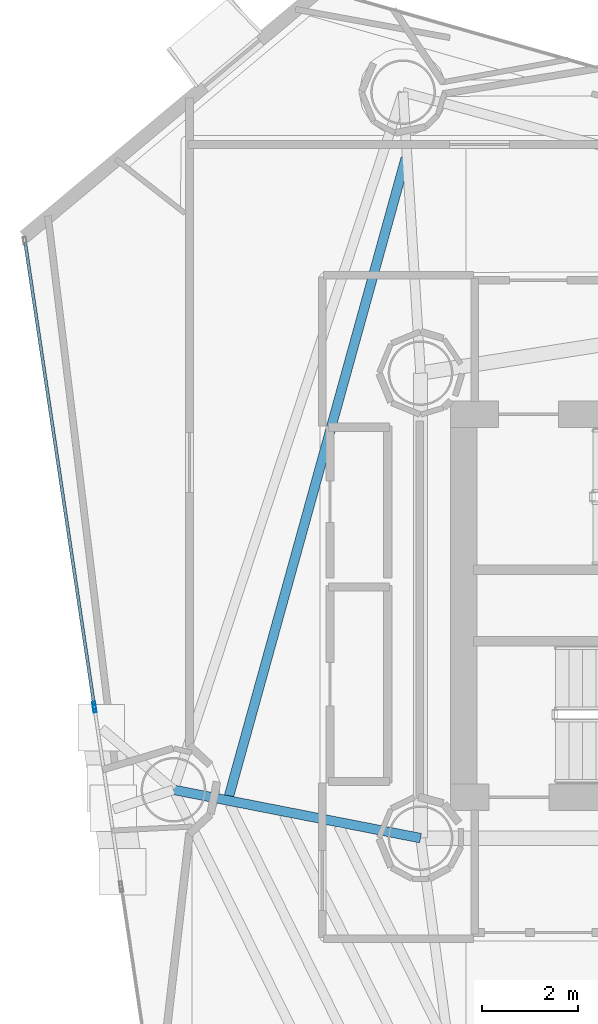
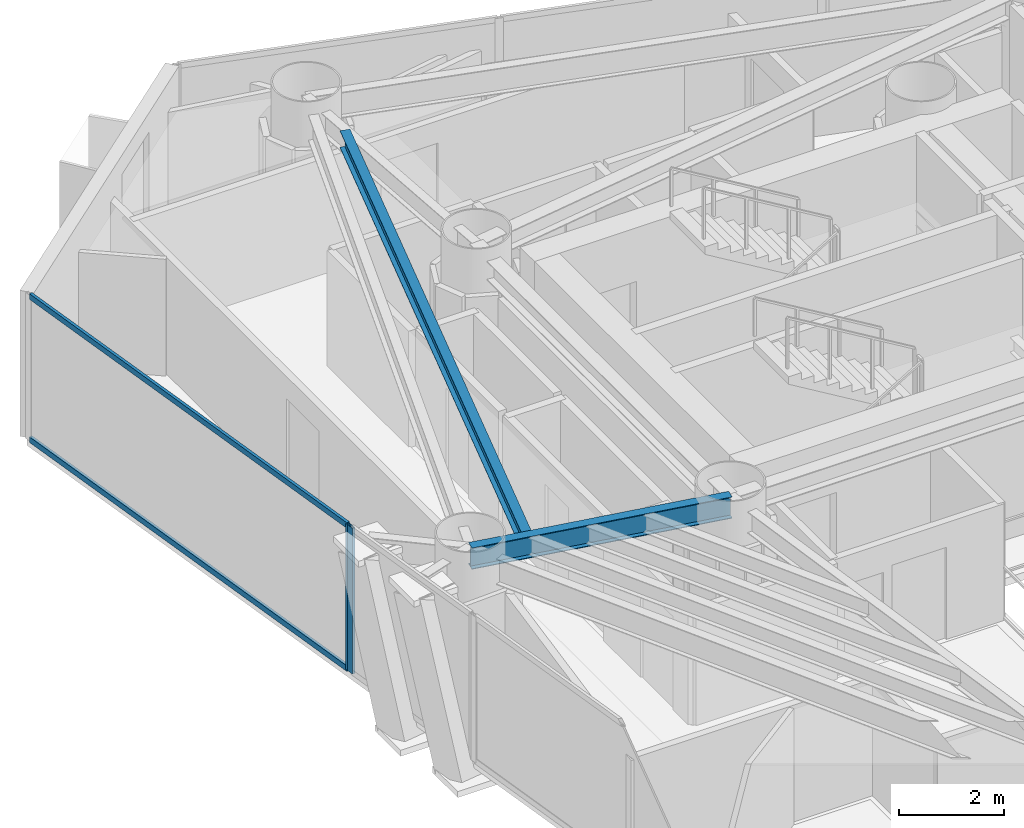
# One storey, part 9 of 22: 4 members, 2 beams, 2 elements without a shape of their own.
"""IFC4 building model written with IfcOpenShell, lengths in metres."""

from ifc_helpers import new_model, si_unit, direction, frame, origin, origin_2d, place, context, subcontext, project, spatial, hollow_rectangle, i_section, extrude, material, layer, layer_set, material_profile, profile_set, type_object, element, aggregate, save


model = new_model("IFC4")

# Units and contexts
model_context = context("Model", 3, precision=1e-05, world=origin(), true_north=direction((0.0, 1.0)))
body_context = subcontext(model_context, "Body", "Model", "MODEL_VIEW")
ifc_project = project(units=[si_unit("LENGTHUNIT", "METRE"), si_unit("AREAUNIT", "SQUARE_METRE"), si_unit("VOLUMEUNIT", "CUBIC_METRE"), si_unit("PLANEANGLEUNIT", "RADIAN"), si_unit("MASSUNIT", "GRAM", prefix="KILO")], contexts=[model_context])

# Site, building, storey
site_placement = place(None, origin())
site = spatial("IfcSite", under=ifc_project, at=site_placement, CompositionType="ELEMENT")
building_placement = place(site_placement, origin())
building = spatial("IfcBuilding", under=site, at=building_placement, Name="Qianvela Tower", CompositionType="ELEMENT")
storey_placement = place(building_placement, frame((0.0, 0.0, 180.89990234375)))
storey = spatial("IfcBuildingStorey", under=building, at=storey_placement, Name="L46", CompositionType="ELEMENT", Elevation=180.89990234375)

# Beams
ifc_material_1 = material(Name="Steel Q355B", Category="steel")
ifc_material_profile_1 = material_profile(ifc_material_1, i_section(OverallWidth=0.199951171875, OverallDepth=0.39990234375, WebThickness=0.008056640625, FlangeThickness=0.012939453125, at=origin_2d()), Name="HN400x200x8x13")
ifc_profile_set_1 = profile_set([ifc_material_profile_1], Name="Steel Q355B")
beam_type_1 = type_object("IfcBeamType", Name="BM-HN400-JOIST", PredefinedType="JOIST", material=ifc_profile_set_1)
beam_1_placement = place(storey_placement, frame((28.289794921875, 38.029052734375, 3.197998046875), z_axis=(-0.266971346744, -0.963704467157, 0.0), x_axis=(0.963704467157, -0.266971346744, 0.0)))
element("IfcBeam", 1, at=beam_1_placement, inside=storey, type_object=beam_type_1, Name="L46 Secondary Composite Floor Joist 3.3", PredefinedType="JOIST", context=body_context, shape_type="SweptSolid", body=[
    extrude(i_section(OverallWidth=0.199951171875, OverallDepth=0.39990234375, WebThickness=0.008056640625, FlangeThickness=0.012939453125, at=origin_2d()), origin(), (0.0, 0.0, 1.0), 13.800537109375),
])
ifc_material_2 = material(Name="Steel Q355B", Category="steel")
ifc_material_profile_2 = material_profile(ifc_material_2, i_section(OverallWidth=0.199951171875, OverallDepth=0.5, WebThickness=0.010009765625, FlangeThickness=0.01611328125, at=origin_2d()), Name="HN500x200x10x16")
ifc_profile_set_2 = profile_set([ifc_material_profile_2], Name="Steel Q355B")
beam_type_2 = type_object("IfcBeamType", Name="BM-HN500-GIRD", PredefinedType="BEAM", material=ifc_profile_set_2)
beam_2_placement = place(storey_placement, frame((28.60009765625, 23.85009765625, 3.148193359375), z_axis=(-0.98137875074, 0.192082658238, 0.0), x_axis=(-0.192082658238, -0.98137875074, 0.0)))
element("IfcBeam", 2, at=beam_2_placement, inside=storey, type_object=beam_type_2, Name="L46 Radial Primary Floor Girder 4", PredefinedType="BEAM", context=body_context, shape_type="SweptSolid", body=[
    extrude(i_section(OverallWidth=0.199951171875, OverallDepth=0.5, WebThickness=0.010009765625, FlangeThickness=0.01611328125, at=origin_2d()), origin(), (0.0, 0.0, 1.0), 5.251953125),
])

# Curtain wall, member
ifc_material_3 = material(Name="Anodised Architectural Aluminium and Insulated Spandrel Panel", Category="aluminium")
ifc_layer_1 = layer(ifc_material_3, 0.179931640625)
ifc_layer_set_1 = layer_set([ifc_layer_1], Name="Anodised Architectural Aluminium and Insulated Spandrel Panel")
curtain_wall_type_1 = type_object("IfcCurtainWallType", Name="CW-BRACEBAY", PredefinedType="USERDEFINED", material=ifc_layer_set_1)
curtain_wall_1_placement = place(storey_placement, origin())
curtain_wall_1 = element("IfcCurtainWall", 3, at=curtain_wall_1_placement, inside=storey, type_object=curtain_wall_type_1, Name="L46 CW-BRACEBAY Curtain Wall 04B", ObjectType="CURTAIN_WALL_SYSTEM", PredefinedType="USERDEFINED")
ifc_material_4 = material(Name="Anodised Architectural Aluminium 6063-T6", Category="aluminium")
ifc_material_profile_3 = material_profile(ifc_material_4, hollow_rectangle(XDim=0.06494140625, YDim=0.159912109375, WallThickness=0.0048828125, at=origin_2d()), Name="ALU-MULL-65x160")
ifc_profile_set_3 = profile_set([ifc_material_profile_3], Name="Anodised Architectural Aluminium 6063-T6")
member_type_1 = type_object("IfcMemberType", Name="CW-BRACEBAY-MULL", PredefinedType="MULLION", material=ifc_profile_set_3)
member_1_placement = place(storey_placement, frame((21.80224609375, 26.551025390625, 0.0), z_axis=(0.0, 0.0, 1.0), x_axis=(0.989067181234, 0.147465626524, 0.0)))
member_1 = element("IfcMember", 4, at=member_1_placement, type_object=member_type_1, Name="CW-9 mullion 1", PredefinedType="MULLION", context=body_context, shape_type="SweptSolid", body=[
    extrude(hollow_rectangle(XDim=0.06494140625, YDim=0.159912109375, WallThickness=0.0048828125, at=origin_2d()), origin(), (0.0, 0.0, 1.0), 3.400146484375),
])
aggregate(curtain_wall_1, [member_1])

# Curtain wall, members
ifc_material_5 = material(Name="Anodised Architectural Aluminium and Low-E Glass", Category="aluminium")
ifc_layer_2 = layer(ifc_material_5, 0.169921875)
ifc_layer_set_2 = layer_set([ifc_layer_2], Name="Anodised Architectural Aluminium and Low-E Glass")
curtain_wall_type_2 = type_object("IfcCurtainWallType", Name="CW-COLIV-Z34", PredefinedType="USERDEFINED", material=ifc_layer_set_2)
curtain_wall_2_placement = place(storey_placement, origin())
curtain_wall_2 = element("IfcCurtainWall", 5, at=curtain_wall_2_placement, inside=storey, type_object=curtain_wall_type_2, Name="L46 CW-COLIV-Z34 Curtain Wall 04A", ObjectType="CURTAIN_WALL_SYSTEM", PredefinedType="USERDEFINED")
ifc_material_6 = material(Name="Anodised Architectural Aluminium 6063-T6", Category="aluminium")
ifc_material_profile_4 = material_profile(ifc_material_6, hollow_rectangle(XDim=0.06494140625, YDim=0.159912109375, WallThickness=0.0048828125, at=origin_2d()), Name="ALU-MULL-65x160")
ifc_profile_set_4 = profile_set([ifc_material_profile_4], Name="Anodised Architectural Aluminium 6063-T6")
member_type_2 = type_object("IfcMemberType", Name="CW-COLIV-Z34-MULL", PredefinedType="MULLION", material=ifc_profile_set_4)
member_2_placement = place(storey_placement, frame((21.792724609375, 26.615234375, 0.0), z_axis=(0.0, 0.0, 1.0), x_axis=(0.98906824307, 0.147458504505, 0.0)))
member_2 = element("IfcMember", 6, at=member_2_placement, type_object=member_type_2, Name="CW-4 mullion 2", PredefinedType="MULLION", context=body_context, shape_type="SweptSolid", body=[
    extrude(hollow_rectangle(XDim=0.06494140625, YDim=0.159912109375, WallThickness=0.0048828125, at=origin_2d()), origin(), (0.0, 0.0, 1.0), 3.400146484375),
])
ifc_material_7 = material(Name="Anodised Architectural Aluminium 6063-T6", Category="aluminium")
ifc_material_profile_5 = material_profile(ifc_material_7, hollow_rectangle(XDim=0.06494140625, YDim=0.1298828125, WallThickness=0.00439453125, at=origin_2d()), Name="ALU-TRAN-65x130")
ifc_profile_set_5 = profile_set([ifc_material_profile_5], Name="Anodised Architectural Aluminium 6063-T6")
member_type_3 = type_object("IfcMemberType", Name="CW-COLIV-Z34-TRAN", PredefinedType="USERDEFINED", material=ifc_profile_set_5)
member_3_placement = place(storey_placement, frame((20.351806640625, 36.28076171875, 0.03271484375), z_axis=(0.147440696966, -0.989070897802, 0.0), x_axis=(0.989070897802, 0.147440696966, 0.0)))
member_3 = element("IfcMember", 7, at=member_3_placement, type_object=member_type_3, Name="CW-4 transom 1.1", ObjectType="TRANSOM", PredefinedType="USERDEFINED", context=body_context, shape_type="SweptSolid", body=[
    extrude(hollow_rectangle(XDim=0.06494140625, YDim=0.1298828125, WallThickness=0.00439453125, at=origin_2d()), origin(), (0.0, 0.0, 1.0), 9.73974609375),
])
member_4_placement = place(storey_placement, frame((20.351806640625, 36.28076171875, 3.36767578125), z_axis=(0.147440696966, -0.989070897802, 0.0), x_axis=(0.989070897802, 0.147440696966, 0.0)))
member_4 = element("IfcMember", 8, at=member_4_placement, type_object=member_type_3, Name="CW-4 transom 1.2", ObjectType="TRANSOM", PredefinedType="USERDEFINED", context=body_context, shape_type="SweptSolid", body=[
    extrude(hollow_rectangle(XDim=0.06494140625, YDim=0.1298828125, WallThickness=0.00439453125, at=origin_2d()), origin(), (0.0, 0.0, 1.0), 9.73974609375),
])
aggregate(curtain_wall_2, [member_2, member_3, member_4])

save(model, "model.ifc")
